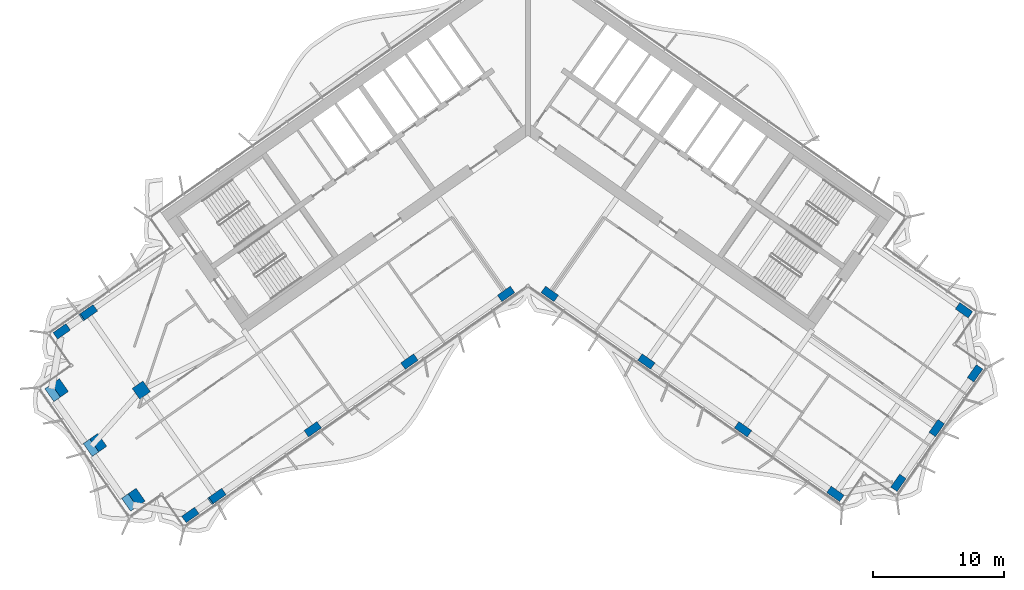
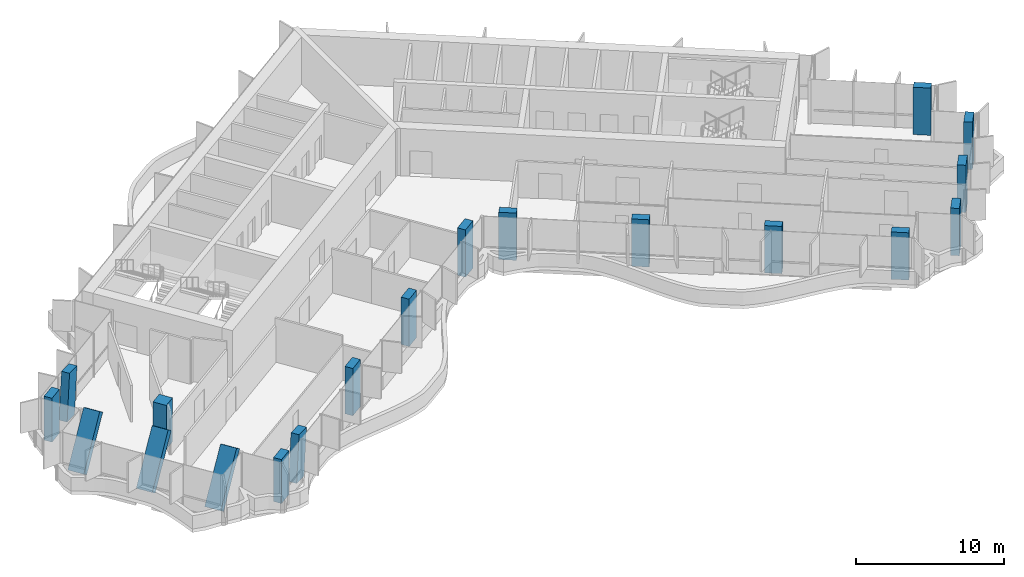
# One storey, part 1 of 23: 19 columns.
"""IFC4 building model written with IfcOpenShell, lengths in metres."""

from ifc_helpers import new_model, si_unit, direction, frame, origin, origin_2d, place, context, subcontext, project, spatial, rectangle, extrude, clip, halfspace, material, material_profile, profile_set, type_object, element, save


model = new_model("IFC4")

# Units and contexts
model_context = context("Model", 3, precision=1e-05, world=origin(), true_north=direction((0.0, 1.0)))
body_context = subcontext(model_context, "Body", "Model", "MODEL_VIEW")
ifc_project = project(units=[si_unit("LENGTHUNIT", "METRE"), si_unit("AREAUNIT", "SQUARE_METRE"), si_unit("VOLUMEUNIT", "CUBIC_METRE"), si_unit("PLANEANGLEUNIT", "RADIAN"), si_unit("MASSUNIT", "GRAM", prefix="KILO")], contexts=[model_context])

# Site, building, storey
site_placement = place(None, origin())
site = spatial("IfcSite", under=ifc_project, at=site_placement, CompositionType="ELEMENT")
building_placement = place(site_placement, origin())
building = spatial("IfcBuilding", under=site, at=building_placement, Name="Tel Ilan Convention Tower", CompositionType="ELEMENT")
storey_placement = place(building_placement, frame((0.0, 0.0, 198.300048828125)))
storey = spatial("IfcBuildingStorey", under=building, at=storey_placement, Name="L46", CompositionType="ELEMENT", Elevation=198.300048828125)

# Columns
ifc_material_1 = material(Name="Concrete C50/60", Category="concrete")
ifc_material_profile_1 = material_profile(ifc_material_1, rectangle(XDim=1.0, YDim=1.0, at=origin_2d()), Name="RC 1000x1000")
ifc_profile_set_1 = profile_set([ifc_material_profile_1], Name="Concrete C50/60")
column_type_1 = type_object("IfcColumnType", Name="Column RC 1000x1000 C50/60", PredefinedType="COLUMN", material=ifc_profile_set_1)
column_1_placement = place(storey_placement, frame((-29.489501953125, -20.648681640625, 0.0), z_axis=(0.0, 0.0, 1.0), x_axis=(-0.819152044289, -0.573576436351, 0.0)))
element("IfcColumn", 1, at=column_1_placement, inside=storey, type_object=column_type_1, Name="L46 column W-M4", PredefinedType="COLUMN", context=body_context, shape_type="SweptSolid", body=[
    extrude(rectangle(XDim=1.0, YDim=1.0, at=origin_2d()), origin(), (0.0, 0.0, 1.0), 3.619873046875),
])
ifc_material_2 = material(Name="Concrete C50/60", Category="concrete")
ifc_material_profile_2 = material_profile(ifc_material_2, rectangle(XDim=1.199951171875, YDim=0.60009765625, at=origin_2d()), Name="RC 600x1200")
ifc_profile_set_2 = profile_set([ifc_material_profile_2], Name="Concrete C50/60")
column_type_2 = type_object("IfcColumnType", Name="Column RC 600x1200 C50/60", PredefinedType="COLUMN", material=ifc_profile_set_2)
for number, where, z_axis, x_axis, name in (
    (2, (-1.665283203125, -13.312744140625, 0.0), (0.0, 0.0, 1.0), (-0.819152044289, -0.573576436351, 0.0), "L46 column W-F1"),
    (3, (-9.03759765625, -18.474853515625, 0.0), (0.0, 0.0, 1.0), (-0.819152044289, -0.573576436351, 0.0), "L46 column W-F2"),
    (4, (-16.409912109375, -23.63720703125, 0.0), (0.0, 0.0, 1.0), (-0.819152044289, -0.573576436351, 0.0), "L46 column W-F3"),
):
    element("IfcColumn", number, at=place(storey_placement, frame(where, z_axis=z_axis, x_axis=x_axis)), inside=storey, type_object=column_type_2, Name=name, PredefinedType="COLUMN", context=body_context, shape_type="SweptSolid", body=[
        extrude(rectangle(XDim=1.199951171875, YDim=0.60009765625, at=origin_2d()), origin(), (0.0, 0.0, 1.0), 3.89990234375),
    ])
column_2_placement = place(storey_placement, frame((-23.7822265625, -28.79931640625, -0.000244140625), z_axis=(0.08350975399, 0.0585018292, 0.994788247301), x_axis=(-0.814755966807, -0.570768229249, 0.101962458931)))
element("IfcColumn", 5, at=column_2_placement, inside=storey, type_object=column_type_2, Name="L46 column W-F4", PredefinedType="COLUMN", context=body_context, shape_type="Clipping", body=[
    clip(clip(extrude(rectangle(XDim=1.199951171875, YDim=0.60009765625, at=origin_2d()), origin(), (0.0, 0.0, 1.0), 3.920654296875), halfspace(frame((0.0, 0.0, 0.0615234375), z_axis=(0.0, 0.0, 1.0), x_axis=(1.0, 0.0, 0.0)), True)), halfspace(frame((0.0, 0.0, 3.859130859375), z_axis=(0.0, 0.0, 1.0), x_axis=(1.0, 0.0, 0.0)), False)),
])
column_3_placement = place(storey_placement, frame((-25.748291015625, -30.17578125, 0.0), z_axis=(0.0, 0.0, 1.0), x_axis=(-0.819152044289, -0.573576436351, 0.0)))
element("IfcColumn", 6, at=column_3_placement, inside=storey, type_object=column_type_2, Name="L46 column W-FC", PredefinedType="COLUMN", context=body_context, shape_type="SweptSolid", body=[
    extrude(rectangle(XDim=1.199951171875, YDim=0.60009765625, at=origin_2d()), origin(), (0.0, 0.0, 1.0), 3.619873046875),
])
column_4_placement = place(storey_placement, frame((-33.590576171875, -14.791748046875, -0.000244140625), z_axis=(0.083573592866, 0.058501515006, 0.994782904617), x_axis=(-0.814957909449, -0.570470536614, 0.102014570932)))
element("IfcColumn", 7, at=column_4_placement, inside=storey, type_object=column_type_2, Name="L46 column W-B4", PredefinedType="COLUMN", context=body_context, shape_type="Clipping", body=[
    clip(clip(extrude(rectangle(XDim=1.199951171875, YDim=0.60009765625, at=origin_2d()), origin(), (0.0, 0.0, 1.0), 3.920654296875), halfspace(frame((0.0, 0.0, 0.0615234375), z_axis=(0.0, 0.0, 1.0), x_axis=(1.0, 0.0, 0.0)), True)), halfspace(frame((0.0, 0.0, 3.859130859375), z_axis=(0.0, 0.0, 1.0), x_axis=(1.0, 0.0, 0.0)), False)),
])
column_5_placement = place(storey_placement, frame((-35.556396484375, -16.16845703125, 0.0), z_axis=(0.0, 0.0, 1.0), x_axis=(-0.819152044289, -0.573576436351, 0.0)))
element("IfcColumn", 8, at=column_5_placement, inside=storey, type_object=column_type_2, Name="L46 column W-BC", PredefinedType="COLUMN", context=body_context, shape_type="SweptSolid", body=[
    extrude(rectangle(XDim=1.199951171875, YDim=0.60009765625, at=origin_2d()), origin(), (0.0, 0.0, 1.0), 3.619873046875),
])
for number, where, z_axis, x_axis, name in (
    (9, (-30.553466796875, -29.32861328125, 0.0), (0.477769502493, 0.334528037995, 0.812297540488), (-0.573565197047, 0.819159914019, 0.0), "L46 column W-E1"),
    (10, (-33.478271484375, -25.15087890625, 0.0), (0.477726386634, 0.334536966807, 0.812319221337), (-0.573610203854, 0.819128398991, 0.0), "L46 column W-E2"),
):
    element("IfcColumn", number, at=place(storey_placement, frame(where, z_axis=z_axis, x_axis=x_axis)), inside=storey, type_object=column_type_2, Name=name, PredefinedType="COLUMN", context=body_context, shape_type="Clipping", body=[
        clip(clip(extrude(rectangle(XDim=1.199951171875, YDim=0.60009765625, at=origin_2d()), origin(), (0.0, 0.0, 1.0), 4.80078125), halfspace(frame((0.0, 0.0, 0.21533203125), z_axis=(0.0, 0.0, 1.0), x_axis=(1.0, 0.0, 0.0)), True)), halfspace(frame((0.0, 0.0, 4.58544921875), z_axis=(0.0, 0.0, 1.0), x_axis=(1.0, 0.0, 0.0)), False)),
    ])
column_6_placement = place(storey_placement, frame((-36.40380859375, -20.973388671875, 0.0), z_axis=(0.477760573022, 0.334577651055, 0.812282358715), x_axis=(-0.573629466203, 0.819114909829, 0.0)))
element("IfcColumn", 11, at=column_6_placement, inside=storey, type_object=column_type_2, Name="L46 column W-E3", PredefinedType="COLUMN", context=body_context, shape_type="Clipping", body=[
    clip(clip(extrude(rectangle(XDim=1.199951171875, YDim=0.60009765625, at=origin_2d()), origin(), (0.0, 0.0, 1.0), 4.801025390625), halfspace(frame((0.0, 0.0, 0.21533203125), z_axis=(0.0, 0.0, 1.0), x_axis=(1.0, 0.0, 0.0)), True)), halfspace(frame((0.0, 0.0, 4.58544921875), z_axis=(0.0, 0.0, 1.0), x_axis=(1.0, 0.0, 0.0)), False)),
])
for number, where, z_axis, x_axis, name in (
    (12, (1.665283203125, -13.312744140625, 0.0), (0.0, 0.0, 1.0), (0.819152044289, -0.573576436351, 0.0), "L46 column E-F1"),
    (13, (9.03759765625, -18.474853515625, 0.0), (0.0, 0.0, 1.0), (0.819152044289, -0.573576436351, 0.0), "L46 column E-F2"),
    (14, (16.409912109375, -23.63720703125, 0.0), (0.0, 0.0, 1.0), (0.819152044289, -0.573576436351, 0.0), "L46 column E-F3"),
    (15, (23.45458984375, -28.56982421875, 0.0), (0.0, 0.0, 1.0), (0.819152044289, -0.573576436351, 0.0), "L46 column E-FC"),
    (16, (33.262939453125, -14.5625, 0.0), (0.0, 0.0, 1.0), (0.819152044289, -0.573576436351, 0.0), "L46 column E-BC"),
    (17, (28.259521484375, -27.72265625, 0.0), (0.0, 0.0, 1.0), (0.573576436351, 0.819152044289, 0.0), "L46 column E-E1"),
    (18, (31.184814453125, -23.544921875, 0.0), (0.0, 0.0, 1.0), (0.573576436351, 0.819152044289, 0.0), "L46 column E-E2"),
    (19, (34.110107421875, -19.3671875, 0.0), (0.0, 0.0, 1.0), (0.573576436351, 0.819152044289, 0.0), "L46 column E-E3"),
):
    element("IfcColumn", number, at=place(storey_placement, frame(where, z_axis=z_axis, x_axis=x_axis)), inside=storey, type_object=column_type_2, Name=name, PredefinedType="COLUMN", context=body_context, shape_type="SweptSolid", body=[
        extrude(rectangle(XDim=1.199951171875, YDim=0.60009765625, at=origin_2d()), origin(), (0.0, 0.0, 1.0), 3.89990234375),
    ])

save(model, "model.ifc")
